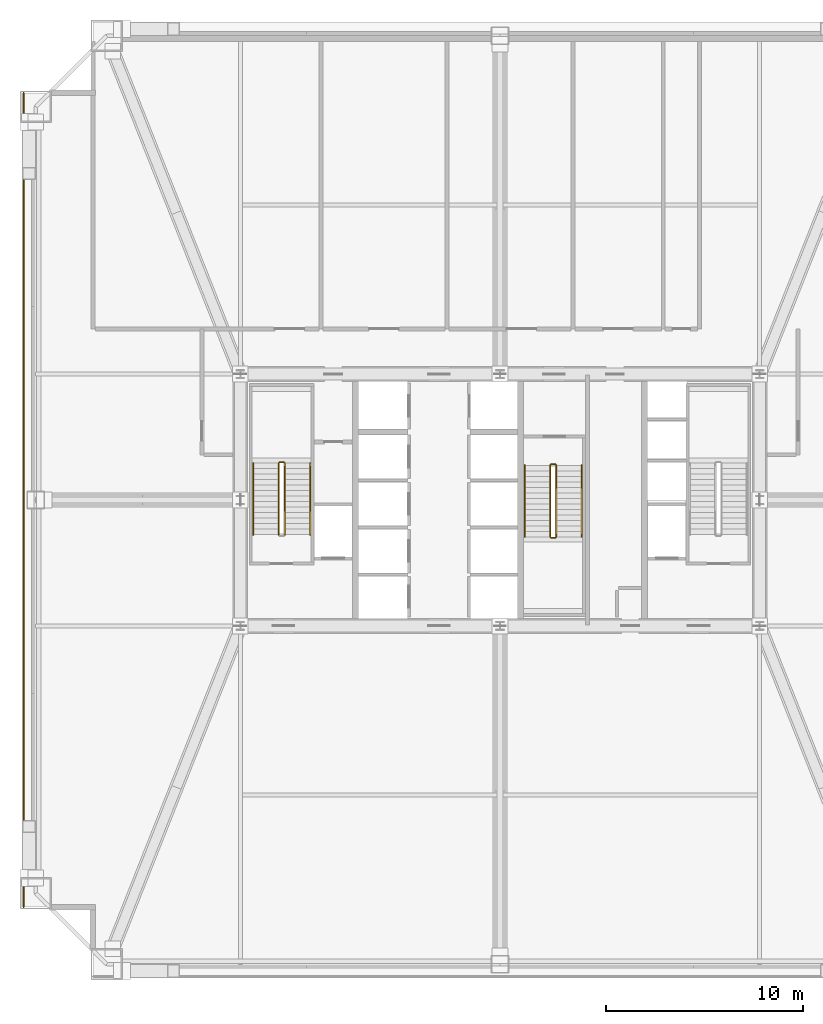
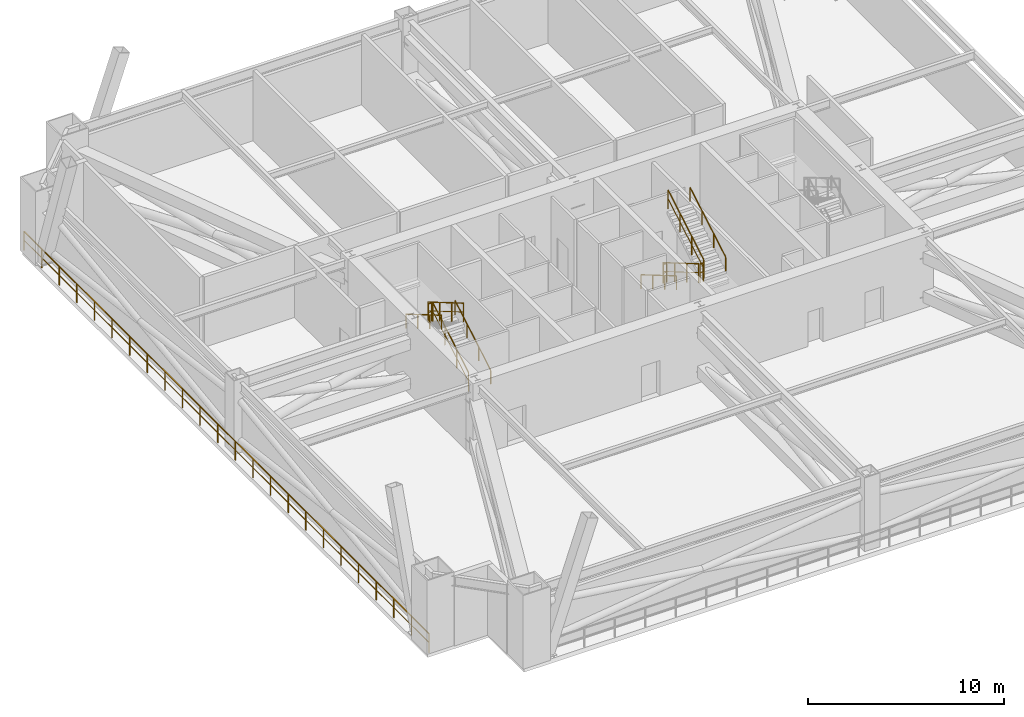
# One storey, part 8 of 10: 12 railings.
"""IFC4 building model written with IfcOpenShell, lengths in metres."""

from ifc_helpers import new_model, si_unit, direction, frame, origin, origin_2d, place, context, subcontext, project, spatial, rectangle, extrude, source, transform, mapped, material, layer, layer_set, type_object, element, save


model = new_model("IFC4")

# Units and contexts
model_context = context("Model", 3, precision=1e-05, world=origin(), true_north=direction((0.0, 1.0)))
body_context = subcontext(model_context, "Body", "Model", "MODEL_VIEW")
ifc_project = project(units=[si_unit("LENGTHUNIT", "METRE"), si_unit("AREAUNIT", "SQUARE_METRE"), si_unit("VOLUMEUNIT", "CUBIC_METRE"), si_unit("PLANEANGLEUNIT", "RADIAN"), si_unit("MASSUNIT", "GRAM", prefix="KILO"), si_unit("THERMODYNAMICTEMPERATUREUNIT", "KELVIN"), si_unit("POWERUNIT", "WATT")], contexts=[model_context])

# Site, building, storey
site_placement = place(None, origin())
site = spatial("IfcSite", under=ifc_project, at=site_placement, CompositionType="ELEMENT")
building_placement = place(site_placement, origin())
building = spatial("IfcBuilding", under=site, at=building_placement, Name="Yuzanri Waterfront Tower", CompositionType="ELEMENT")
storey_placement = place(building_placement, frame((0.0, 0.0, 129.800048828125)))
storey = spatial("IfcBuildingStorey", under=building, at=storey_placement, Name="L34", CompositionType="ELEMENT", Elevation=129.800048828125)

# Railings
ifc_material_1 = material(Name="Anodized Architectural Bronze", Category="metal")
ifc_layer_1 = layer(ifc_material_1, 0.080078125)
ifc_layer_set_1 = layer_set([ifc_layer_1], Name="Anodized Architectural Bronze")
railing_type_1 = type_object("IfcRailingType", Name="Laminated Glass and Bronze Balcony Guardrail 1200", PredefinedType="BALUSTRADE", material=ifc_layer_set_1)
shared_shape_1 = source(origin(), body_context, "Body", "SweptSolid", [
    extrude(rectangle(XDim=0.050048828125, YDim=0.050048828125, at=origin_2d()), frame((0.0, 0.0, 1.1748046875), z_axis=(0.0, 1.0, 0.0), x_axis=(-1.0, 0.0, 0.0)), (0.0, 0.0, 1.0), 41.39990234375),
    extrude(rectangle(XDim=0.035888671875, YDim=0.030029296875, at=origin_2d()), frame((0.0, 0.0, 0.6240234375), z_axis=(0.0, 1.0, 0.0), x_axis=(-1.0, 0.0, 0.0)), (0.0, 0.0, 1.0), 41.39990234375),
    extrude(rectangle(XDim=0.0458984375, YDim=0.0458984375, at=origin_2d()), origin(), (0.0, 0.0, 1.0), 1.14990234375),
    extrude(rectangle(XDim=0.0458984375, YDim=0.0458984375, at=origin_2d()), frame((0.0, 1.800048828125, 0.0)), (0.0, 0.0, 1.0), 1.14990234375),
    extrude(rectangle(XDim=0.0458984375, YDim=0.0458984375, at=origin_2d()), frame((0.0, 3.60009765625, 0.0)), (0.0, 0.0, 1.0), 1.14990234375),
    extrude(rectangle(XDim=0.0458984375, YDim=0.0458984375, at=origin_2d()), frame((0.0, 5.39990234375, 0.0)), (0.0, 0.0, 1.0), 1.14990234375),
    extrude(rectangle(XDim=0.0458984375, YDim=0.0458984375, at=origin_2d()), frame((0.0, 7.199951171875, 0.0)), (0.0, 0.0, 1.0), 1.14990234375),
    extrude(rectangle(XDim=0.0458984375, YDim=0.0458984375, at=origin_2d()), frame((0.0, 9.0, 0.0)), (0.0, 0.0, 1.0), 1.14990234375),
    extrude(rectangle(XDim=0.0458984375, YDim=0.0458984375, at=origin_2d()), frame((0.0, 10.800048828125, 0.0)), (0.0, 0.0, 1.0), 1.14990234375),
    extrude(rectangle(XDim=0.0458984375, YDim=0.0458984375, at=origin_2d()), frame((0.0, 12.599853515625, 0.0)), (0.0, 0.0, 1.0), 1.14990234375),
    extrude(rectangle(XDim=0.0458984375, YDim=0.0458984375, at=origin_2d()), frame((0.0, 14.39990234375, 0.0)), (0.0, 0.0, 1.0), 1.14990234375),
    extrude(rectangle(XDim=0.0458984375, YDim=0.0458984375, at=origin_2d()), frame((0.0, 16.199951171875, 0.0)), (0.0, 0.0, 1.0), 1.14990234375),
    extrude(rectangle(XDim=0.0458984375, YDim=0.0458984375, at=origin_2d()), frame((0.0, 18.0, 0.0)), (0.0, 0.0, 1.0), 1.14990234375),
    extrude(rectangle(XDim=0.0458984375, YDim=0.0458984375, at=origin_2d()), frame((0.0, 19.800048828125, 0.0)), (0.0, 0.0, 1.0), 1.14990234375),
    extrude(rectangle(XDim=0.0458984375, YDim=0.0458984375, at=origin_2d()), frame((0.0, 21.599853515625, 0.0)), (0.0, 0.0, 1.0), 1.14990234375),
    extrude(rectangle(XDim=0.0458984375, YDim=0.0458984375, at=origin_2d()), frame((0.0, 23.39990234375, 0.0)), (0.0, 0.0, 1.0), 1.14990234375),
    extrude(rectangle(XDim=0.0458984375, YDim=0.0458984375, at=origin_2d()), frame((0.0, 25.199951171875, 0.0)), (0.0, 0.0, 1.0), 1.14990234375),
    extrude(rectangle(XDim=0.0458984375, YDim=0.0458984375, at=origin_2d()), frame((0.0, 27.0, 0.0)), (0.0, 0.0, 1.0), 1.14990234375),
    extrude(rectangle(XDim=0.0458984375, YDim=0.0458984375, at=origin_2d()), frame((0.0, 28.800048828125, 0.0)), (0.0, 0.0, 1.0), 1.14990234375),
    extrude(rectangle(XDim=0.0458984375, YDim=0.0458984375, at=origin_2d()), frame((0.0, 30.599853515625, 0.0)), (0.0, 0.0, 1.0), 1.14990234375),
    extrude(rectangle(XDim=0.0458984375, YDim=0.0458984375, at=origin_2d()), frame((0.0, 32.39990234375, 0.0)), (0.0, 0.0, 1.0), 1.14990234375),
    extrude(rectangle(XDim=0.0458984375, YDim=0.0458984375, at=origin_2d()), frame((0.0, 34.199951171875, 0.0)), (0.0, 0.0, 1.0), 1.14990234375),
    extrude(rectangle(XDim=0.0458984375, YDim=0.0458984375, at=origin_2d()), frame((0.0, 36.0, 0.0)), (0.0, 0.0, 1.0), 1.14990234375),
    extrude(rectangle(XDim=0.0458984375, YDim=0.0458984375, at=origin_2d()), frame((0.0, 37.7998046875, 0.0)), (0.0, 0.0, 1.0), 1.14990234375),
    extrude(rectangle(XDim=0.0458984375, YDim=0.0458984375, at=origin_2d()), frame((0.0, 39.599853515625, 0.0)), (0.0, 0.0, 1.0), 1.14990234375),
    extrude(rectangle(XDim=0.0458984375, YDim=0.0458984375, at=origin_2d()), frame((0.0, 41.39990234375, 0.0)), (0.0, 0.0, 1.0), 1.14990234375),
])
railing_1_placement = place(storey_placement, frame((12.780029296875, 5.10009765625, 0.0)))
element("IfcRailing", 1, at=railing_1_placement, inside=storey, type_object=railing_type_1, Name="L34 West Refuge Edge Guard", PredefinedType="BALUSTRADE", context=body_context, shape_type="MappedRepresentation", body=[
    mapped(shared_shape_1, transform((0.0, 0.0, 0.0), scale=1.0)),
])
ifc_material_2 = material(Name="Painted Galvanized Fire Steel", Category="steel")
ifc_layer_2 = layer(ifc_material_2, 0.06005859375)
ifc_layer_set_2 = layer_set([ifc_layer_2], Name="Painted Galvanized Fire Steel")
railing_type_2 = type_object("IfcRailingType", Name="Painted Steel Stairwell Guardrail 1120", PredefinedType="GUARDRAIL", material=ifc_layer_set_2)
shared_shape_2 = source(origin(), body_context, "Body", "SweptSolid", [
    extrude(rectangle(XDim=0.050048828125, YDim=0.050048828125, at=origin_2d()), frame((0.0, 0.0, 1.1748046875), z_axis=(-1.0, 0.0, 0.0), x_axis=(0.0, -1.0, 0.0)), (0.0, 0.0, 1.0), 0.199951171875),
    extrude(rectangle(XDim=0.035888671875, YDim=0.030029296875, at=origin_2d()), frame((0.0, 0.0, 0.6240234375), z_axis=(-1.0, 0.0, 0.0), x_axis=(0.0, -1.0, 0.0)), (0.0, 0.0, 1.0), 0.199951171875),
    extrude(rectangle(XDim=0.0458984375, YDim=0.0458984375, at=origin_2d()), origin(), (0.0, 0.0, 1.0), 1.14990234375),
    extrude(rectangle(XDim=0.0458984375, YDim=0.0458984375, at=origin_2d()), frame((-0.199951171875, 0.0, 0.0)), (0.0, 0.0, 1.0), 1.14990234375),
])
railing_2_placement = place(storey_placement, frame((26.0, 27.72998046875, 2.300048828125)))
element("IfcRailing", 2, at=railing_2_placement, inside=storey, type_object=railing_type_2, Name="L34 ST-01 stair guard 2", PredefinedType="GUARDRAIL", context=body_context, shape_type="MappedRepresentation", body=[
    mapped(shared_shape_2, transform((0.0, 0.0, 0.0), scale=1.0)),
])
shared_shape_3 = source(origin(), body_context, "Body", "SweptSolid", [
    extrude(rectangle(XDim=0.050048828125, YDim=0.050048828125, at=origin_2d()), frame((0.0, 0.0, 1.1748046875), z_axis=(0.0, 0.862489892076, 0.506074289079), x_axis=(-1.0, 0.0, 0.0)), (0.0, 0.0, 1.0), 4.22021484375),
    extrude(rectangle(XDim=0.035888671875, YDim=0.030029296875, at=origin_2d()), frame((0.0, 0.0, 0.6240234375), z_axis=(0.0, 0.862489892076, 0.506074289079), x_axis=(-1.0, 0.0, 0.0)), (0.0, 0.0, 1.0), 4.22021484375),
    extrude(rectangle(XDim=0.0458984375, YDim=0.0458984375, at=origin_2d()), origin(), (0.0, 0.0, 1.0), 1.14990234375),
    extrude(rectangle(XDim=0.0458984375, YDim=0.0458984375, at=origin_2d()), frame((0.0, 1.21337890625, 0.7119140625)), (0.0, 0.0, 1.0), 1.14990234375),
    extrude(rectangle(XDim=0.0458984375, YDim=0.0458984375, at=origin_2d()), frame((0.0, 2.426513671875, 1.423828125)), (0.0, 0.0, 1.0), 1.14990234375),
    extrude(rectangle(XDim=0.0458984375, YDim=0.0458984375, at=origin_2d()), frame((0.0, 3.639892578125, 2.1357421875)), (0.0, 0.0, 1.0), 1.14990234375),
])
railing_3_placement = place(storey_placement, frame((26.050048828125, 24.0400390625, 0.164306640625)))
element("IfcRailing", 3, at=railing_3_placement, inside=storey, type_object=railing_type_2, Name="L34 ST-01 stair guard 1", PredefinedType="GUARDRAIL", context=body_context, shape_type="MappedRepresentation", body=[
    mapped(shared_shape_3, transform((0.0, 0.0, 0.0), scale=1.0)),
])
ifc_material_3 = material(Name="Anodized Architectural Bronze", Category="metal")
ifc_layer_3 = layer(ifc_material_3, 0.050048828125)
ifc_layer_set_3 = layer_set([ifc_layer_3], Name="Anodized Architectural Bronze")
railing_type_3 = type_object("IfcRailingType", Name="Brushed Bronze Stair Pitch Handrail 920", PredefinedType="HANDRAIL", material=ifc_layer_set_3)
shared_shape_4 = source(origin(), body_context, "Body", "SweptSolid", [
    extrude(rectangle(XDim=0.050048828125, YDim=0.050048828125, at=origin_2d()), frame((0.0, 0.0, 0.875), z_axis=(0.0, 0.862489892076, 0.506074289079), x_axis=(-1.0, 0.0, 0.0)), (0.0, 0.0, 1.0), 4.22021484375),
    extrude(rectangle(XDim=0.0458984375, YDim=0.0458984375, at=origin_2d()), origin(), (0.0, 0.0, 1.0), 0.849853515625),
    extrude(rectangle(XDim=0.0458984375, YDim=0.0458984375, at=origin_2d()), frame((0.0, 1.21337890625, 0.7119140625)), (0.0, 0.0, 1.0), 0.849853515625),
    extrude(rectangle(XDim=0.0458984375, YDim=0.0458984375, at=origin_2d()), frame((0.0, 2.426513671875, 1.423828125)), (0.0, 0.0, 1.0), 0.849853515625),
    extrude(rectangle(XDim=0.0458984375, YDim=0.0458984375, at=origin_2d()), frame((0.0, 3.639892578125, 2.1357421875)), (0.0, 0.0, 1.0), 0.849853515625),
])
railing_4_placement = place(storey_placement, frame((27.35009765625, 24.0400390625, 0.164306640625)))
element("IfcRailing", 4, at=railing_4_placement, inside=storey, type_object=railing_type_3, Name="L34 ST-01 stair handrail 1", PredefinedType="HANDRAIL", context=body_context, shape_type="MappedRepresentation", body=[
    mapped(shared_shape_4, transform((0.0, 0.0, 0.0), scale=1.0)),
])
shared_shape_5 = source(origin(), body_context, "Body", "SweptSolid", [
    extrude(rectangle(XDim=0.050048828125, YDim=0.050048828125, at=origin_2d()), frame((0.0, 0.0, 1.1748046875), z_axis=(0.0, -0.862515142463, 0.50603125301), x_axis=(1.0, 0.0, 0.0)), (0.0, 0.0, 1.0), 4.219970703125),
    extrude(rectangle(XDim=0.035888671875, YDim=0.030029296875, at=origin_2d()), frame((0.0, 0.0, 0.6240234375), z_axis=(0.0, -0.862515142463, 0.50603125301), x_axis=(1.0, 0.0, 0.0)), (0.0, 0.0, 1.0), 4.219970703125),
    extrude(rectangle(XDim=0.0458984375, YDim=0.0458984375, at=origin_2d()), origin(), (0.0, 0.0, 1.0), 1.14990234375),
    extrude(rectangle(XDim=0.0458984375, YDim=0.0458984375, at=origin_2d()), frame((0.0, -1.21337890625, 0.7119140625)), (0.0, 0.0, 1.0), 1.14990234375),
    extrude(rectangle(XDim=0.0458984375, YDim=0.0458984375, at=origin_2d()), frame((0.0, -2.426513671875, 1.423583984375)), (0.0, 0.0, 1.0), 1.14990234375),
    extrude(rectangle(XDim=0.0458984375, YDim=0.0458984375, at=origin_2d()), frame((0.0, -3.639892578125, 2.135498046875)), (0.0, 0.0, 1.0), 1.14990234375),
])
railing_5_placement = place(storey_placement, frame((25.75, 27.679931640625, 2.46435546875)))
element("IfcRailing", 5, at=railing_5_placement, inside=storey, type_object=railing_type_2, Name="L34 ST-01 stair guard 3", PredefinedType="GUARDRAIL", context=body_context, shape_type="MappedRepresentation", body=[
    mapped(shared_shape_5, transform((0.0, 0.0, 0.0), scale=1.0)),
])
shared_shape_6 = source(origin(), body_context, "Body", "SweptSolid", [
    extrude(rectangle(XDim=0.050048828125, YDim=0.050048828125, at=origin_2d()), frame((0.0, 0.0, 0.875), z_axis=(0.0, -0.862515142463, 0.50603125301), x_axis=(1.0, 0.0, 0.0)), (0.0, 0.0, 1.0), 4.219970703125),
    extrude(rectangle(XDim=0.0458984375, YDim=0.0458984375, at=origin_2d()), origin(), (0.0, 0.0, 1.0), 0.849853515625),
    extrude(rectangle(XDim=0.0458984375, YDim=0.0458984375, at=origin_2d()), frame((0.0, -1.21337890625, 0.7119140625)), (0.0, 0.0, 1.0), 0.849853515625),
    extrude(rectangle(XDim=0.0458984375, YDim=0.0458984375, at=origin_2d()), frame((0.0, -2.426513671875, 1.423583984375)), (0.0, 0.0, 1.0), 0.849853515625),
    extrude(rectangle(XDim=0.0458984375, YDim=0.0458984375, at=origin_2d()), frame((0.0, -3.639892578125, 2.135498046875)), (0.0, 0.0, 1.0), 0.849853515625),
])
railing_6_placement = place(storey_placement, frame((24.449951171875, 27.679931640625, 2.46435546875)))
element("IfcRailing", 6, at=railing_6_placement, inside=storey, type_object=railing_type_3, Name="L34 ST-01 stair handrail 2", PredefinedType="HANDRAIL", context=body_context, shape_type="MappedRepresentation", body=[
    mapped(shared_shape_6, transform((0.0, 0.0, 0.0), scale=1.0)),
])
shared_shape_7 = source(origin(), body_context, "Body", "SweptSolid", [
    extrude(rectangle(XDim=0.050048828125, YDim=0.050048828125, at=origin_2d()), frame((0.0, 0.0, 1.1748046875), z_axis=(1.0, 0.0, 0.0), x_axis=(0.0, 1.0, 0.0)), (0.0, 0.0, 1.0), 0.199951171875),
    extrude(rectangle(XDim=0.035888671875, YDim=0.030029296875, at=origin_2d()), frame((0.0, 0.0, 0.6240234375), z_axis=(1.0, 0.0, 0.0), x_axis=(0.0, 1.0, 0.0)), (0.0, 0.0, 1.0), 0.199951171875),
    extrude(rectangle(XDim=0.0458984375, YDim=0.0458984375, at=origin_2d()), origin(), (0.0, 0.0, 1.0), 1.14990234375),
    extrude(rectangle(XDim=0.0458984375, YDim=0.0458984375, at=origin_2d()), frame((0.199951171875, 0.0, 0.0)), (0.0, 0.0, 1.0), 1.14990234375),
])
for number, where, name in (
    (7, (39.60009765625, 23.8701171875, 2.300048828125), "L34 ST-03 stair guard 2"),
    (8, (39.60009765625, 27.610107421875, 0.0), "L34 ST-03 stair guard 4"),
):
    element("IfcRailing", number, at=place(storey_placement, frame(where)), inside=storey, type_object=railing_type_2, Name=name, PredefinedType="GUARDRAIL", context=body_context, shape_type="MappedRepresentation", body=[
        mapped(shared_shape_7, transform((0.0, 0.0, 0.0), scale=1.0)),
    ])
shared_shape_8 = source(origin(), body_context, "Body", "SweptSolid", [
    extrude(rectangle(XDim=0.050048828125, YDim=0.050048828125, at=origin_2d()), frame((0.0, 0.0, 1.1748046875), z_axis=(0.0, -0.862504707072, 0.506049039401), x_axis=(1.0, 0.0, 0.0)), (0.0, 0.0, 1.0), 4.220458984375),
    extrude(rectangle(XDim=0.035888671875, YDim=0.030029296875, at=origin_2d()), frame((0.0, 0.0, 0.6240234375), z_axis=(0.0, -0.862504707072, 0.506049039401), x_axis=(1.0, 0.0, 0.0)), (0.0, 0.0, 1.0), 4.220458984375),
    extrude(rectangle(XDim=0.0458984375, YDim=0.0458984375, at=origin_2d()), origin(), (0.0, 0.0, 1.0), 1.14990234375),
    extrude(rectangle(XDim=0.0458984375, YDim=0.0458984375, at=origin_2d()), frame((0.0, -1.21337890625, 0.7119140625)), (0.0, 0.0, 1.0), 1.14990234375),
    extrude(rectangle(XDim=0.0458984375, YDim=0.0458984375, at=origin_2d()), frame((0.0, -2.4267578125, 1.423828125)), (0.0, 0.0, 1.0), 1.14990234375),
    extrude(rectangle(XDim=0.0458984375, YDim=0.0458984375, at=origin_2d()), frame((0.0, -3.64013671875, 2.1357421875)), (0.0, 0.0, 1.0), 1.14990234375),
])
railing_7_placement = place(storey_placement, frame((39.550048828125, 27.56005859375, 0.164306640625)))
element("IfcRailing", 9, at=railing_7_placement, inside=storey, type_object=railing_type_2, Name="L34 ST-03 stair guard 1", PredefinedType="GUARDRAIL", context=body_context, shape_type="MappedRepresentation", body=[
    mapped(shared_shape_8, transform((0.0, 0.0, 0.0), scale=1.0)),
])
shared_shape_9 = source(origin(), body_context, "Body", "SweptSolid", [
    extrude(rectangle(XDim=0.050048828125, YDim=0.050048828125, at=origin_2d()), frame((0.0, 0.0, 0.875), z_axis=(0.0, -0.862504707072, 0.506049039401), x_axis=(1.0, 0.0, 0.0)), (0.0, 0.0, 1.0), 4.220458984375),
    extrude(rectangle(XDim=0.0458984375, YDim=0.0458984375, at=origin_2d()), origin(), (0.0, 0.0, 1.0), 0.849853515625),
    extrude(rectangle(XDim=0.0458984375, YDim=0.0458984375, at=origin_2d()), frame((0.0, -1.21337890625, 0.7119140625)), (0.0, 0.0, 1.0), 0.849853515625),
    extrude(rectangle(XDim=0.0458984375, YDim=0.0458984375, at=origin_2d()), frame((0.0, -2.4267578125, 1.423828125)), (0.0, 0.0, 1.0), 0.849853515625),
    extrude(rectangle(XDim=0.0458984375, YDim=0.0458984375, at=origin_2d()), frame((0.0, -3.64013671875, 2.1357421875)), (0.0, 0.0, 1.0), 0.849853515625),
])
railing_8_placement = place(storey_placement, frame((38.25, 27.56005859375, 0.164306640625)))
element("IfcRailing", 10, at=railing_8_placement, inside=storey, type_object=railing_type_3, Name="L34 ST-03 stair handrail 1", PredefinedType="HANDRAIL", context=body_context, shape_type="MappedRepresentation", body=[
    mapped(shared_shape_9, transform((0.0, 0.0, 0.0), scale=1.0)),
])
shared_shape_10 = source(origin(), body_context, "Body", "SweptSolid", [
    extrude(rectangle(XDim=0.050048828125, YDim=0.050048828125, at=origin_2d()), frame((0.0, 0.0, 1.1748046875), z_axis=(0.0, 0.862529955373, 0.506006004), x_axis=(-1.0, 0.0, 0.0)), (0.0, 0.0, 1.0), 4.22021484375),
    extrude(rectangle(XDim=0.035888671875, YDim=0.030029296875, at=origin_2d()), frame((0.0, 0.0, 0.6240234375), z_axis=(0.0, 0.862529955373, 0.506006004), x_axis=(-1.0, 0.0, 0.0)), (0.0, 0.0, 1.0), 4.22021484375),
    extrude(rectangle(XDim=0.0458984375, YDim=0.0458984375, at=origin_2d()), origin(), (0.0, 0.0, 1.0), 1.14990234375),
    extrude(rectangle(XDim=0.0458984375, YDim=0.0458984375, at=origin_2d()), frame((0.0, 1.21337890625, 0.7119140625)), (0.0, 0.0, 1.0), 1.14990234375),
    extrude(rectangle(XDim=0.0458984375, YDim=0.0458984375, at=origin_2d()), frame((0.0, 2.4267578125, 1.423583984375)), (0.0, 0.0, 1.0), 1.14990234375),
    extrude(rectangle(XDim=0.0458984375, YDim=0.0458984375, at=origin_2d()), frame((0.0, 3.64013671875, 2.135498046875)), (0.0, 0.0, 1.0), 1.14990234375),
])
railing_9_placement = place(storey_placement, frame((39.85009765625, 23.919921875, 2.46435546875)))
element("IfcRailing", 11, at=railing_9_placement, inside=storey, type_object=railing_type_2, Name="L34 ST-03 stair guard 3", PredefinedType="GUARDRAIL", context=body_context, shape_type="MappedRepresentation", body=[
    mapped(shared_shape_10, transform((0.0, 0.0, 0.0), scale=1.0)),
])
shared_shape_11 = source(origin(), body_context, "Body", "SweptSolid", [
    extrude(rectangle(XDim=0.050048828125, YDim=0.050048828125, at=origin_2d()), frame((0.0, 0.0, 0.875), z_axis=(0.0, 0.862529955373, 0.506006004), x_axis=(-1.0, 0.0, 0.0)), (0.0, 0.0, 1.0), 4.22021484375),
    extrude(rectangle(XDim=0.0458984375, YDim=0.0458984375, at=origin_2d()), origin(), (0.0, 0.0, 1.0), 0.849853515625),
    extrude(rectangle(XDim=0.0458984375, YDim=0.0458984375, at=origin_2d()), frame((0.0, 1.21337890625, 0.7119140625)), (0.0, 0.0, 1.0), 0.849853515625),
    extrude(rectangle(XDim=0.0458984375, YDim=0.0458984375, at=origin_2d()), frame((0.0, 2.4267578125, 1.423583984375)), (0.0, 0.0, 1.0), 0.849853515625),
    extrude(rectangle(XDim=0.0458984375, YDim=0.0458984375, at=origin_2d()), frame((0.0, 3.64013671875, 2.135498046875)), (0.0, 0.0, 1.0), 0.849853515625),
])
railing_10_placement = place(storey_placement, frame((41.14990234375, 23.919921875, 2.46435546875)))
element("IfcRailing", 12, at=railing_10_placement, inside=storey, type_object=railing_type_3, Name="L34 ST-03 stair handrail 2", PredefinedType="HANDRAIL", context=body_context, shape_type="MappedRepresentation", body=[
    mapped(shared_shape_11, transform((0.0, 0.0, 0.0), scale=1.0)),
])

save(model, "model.ifc")
